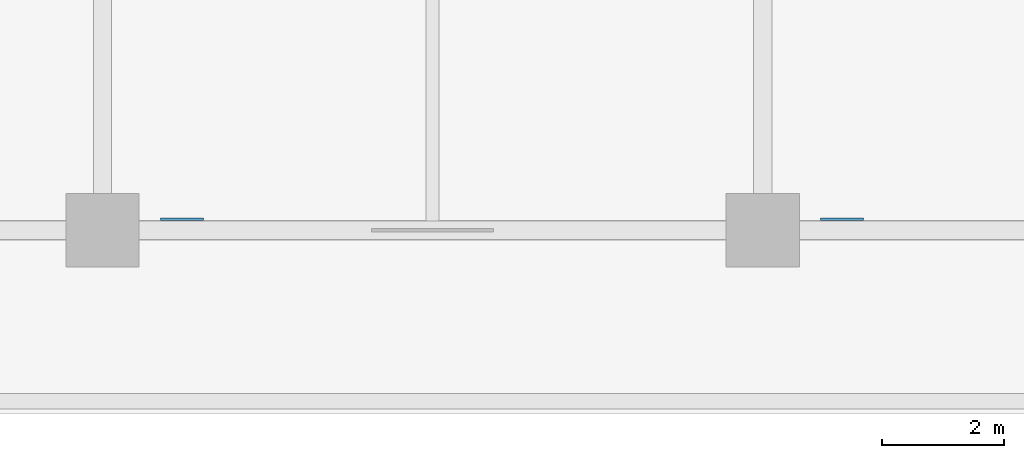
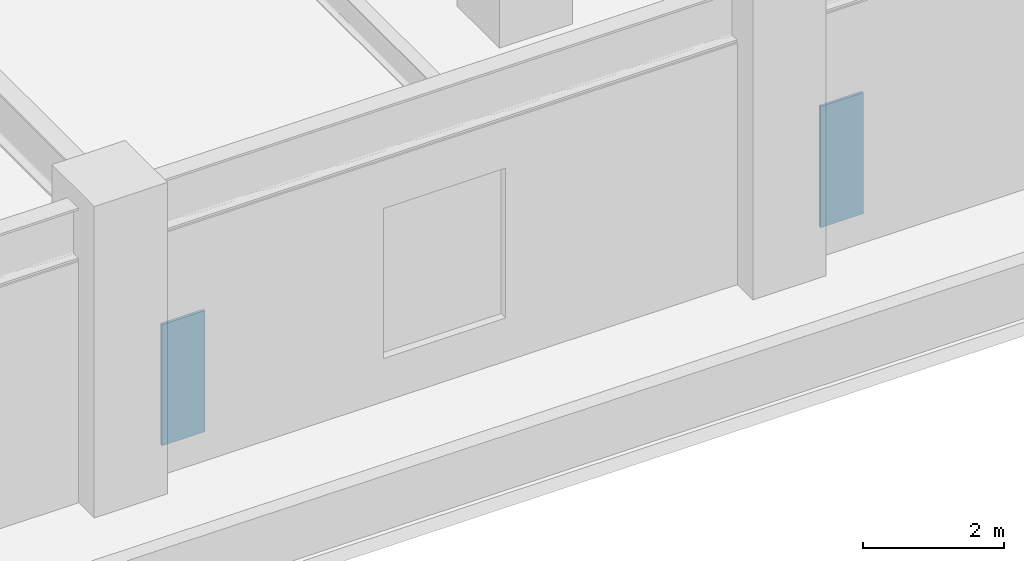
# One storey, part 8 of 20: 2 plates.
"""IFC4 building model written with IfcOpenShell, lengths in metres."""

from ifc_helpers import new_model, si_unit, derived_unit, direction, frame, origin, origin_2d, place, context, subcontext, project, spatial, rectangle, extrude, source, transform, mapped, material, layer, layer_set, type_object, type_shapes, element, save


model = new_model("IFC4")

# Units and contexts
model_context = context("Model", 3, precision=1e-05, world=origin(), true_north=direction((0.0, 1.0)))
body_context = subcontext(model_context, "Body", "Model", "MODEL_VIEW")
ifc_project = project(units=[si_unit("LENGTHUNIT", "METRE"), si_unit("AREAUNIT", "SQUARE_METRE"), si_unit("VOLUMEUNIT", "CUBIC_METRE"), si_unit("PLANEANGLEUNIT", "RADIAN"), si_unit("MASSUNIT", "GRAM", prefix="KILO"), si_unit("THERMODYNAMICTEMPERATUREUNIT", "KELVIN"), si_unit("POWERUNIT", "WATT"), derived_unit("THERMALTRANSMITTANCEUNIT", [(si_unit("POWERUNIT", "WATT"), 1), (si_unit("AREAUNIT", "SQUARE_METRE"), -1), (si_unit("THERMODYNAMICTEMPERATUREUNIT", "KELVIN"), -1)])], contexts=[model_context])

# Site, building, storey
site_placement = place(None, origin())
site = spatial("IfcSite", under=ifc_project, at=site_placement, CompositionType="ELEMENT")
building_placement = place(site_placement, origin())
building = spatial("IfcBuilding", under=site, at=building_placement, Name="Zahravan Archway Hotel and Residences", CompositionType="ELEMENT")
storey_placement = place(building_placement, frame((0.0, 0.0, 16.199951171875)))
storey = spatial("IfcBuildingStorey", under=building, at=storey_placement, Name="L03", CompositionType="ELEMENT", Elevation=16.199951171875)

# Plates
ifc_material = material(Name="Perforated Cast Bronze Jali Lattice")
ifc_layer = layer(ifc_material, 0.044921875, Name="Perforated Cast Bronze Jali Lattice")
ifc_layer_set = layer_set([ifc_layer], Name="Perforated Cast Bronze Jali Lattice")
plate_type = type_object("IfcPlateType", Name="PLT-JALI-BAY", PredefinedType="USERDEFINED", material=ifc_layer_set)
shared_shape = source(origin(), body_context, "Body", "SweptSolid", [
    extrude(rectangle(XDim=0.699951171875, YDim=0.044921875, at=origin_2d()), origin(), (0.0, 0.0, 1.0), 2.10009765625),
])
type_shapes(plate_type, [shared_shape])
for number, where, z_axis, x_axis, name in (
    (1, (58.89990234375, 0.177978515625, 0.25), (0.0, 0.0, 1.0), (1.0, 0.0, 0.0), "L03 Podium Mughal Jali Pier Screen 09"),
    (2, (69.699951171875, 0.177978515625, 0.25), (0.0, 0.0, 1.0), (1.0, 0.0, 0.0), "L03 Podium Mughal Jali Pier Screen 10"),
):
    element("IfcPlate", number, at=place(storey_placement, frame(where, z_axis=z_axis, x_axis=x_axis)), inside=storey, type_object=plate_type, Name=name, ObjectType="SCREEN", PredefinedType="USERDEFINED", context=body_context, shape_type="MappedRepresentation", body=[
        mapped(shared_shape, transform((0.0, 0.0, 0.0), scale=1.0)),
    ])

save(model, "model.ifc")
